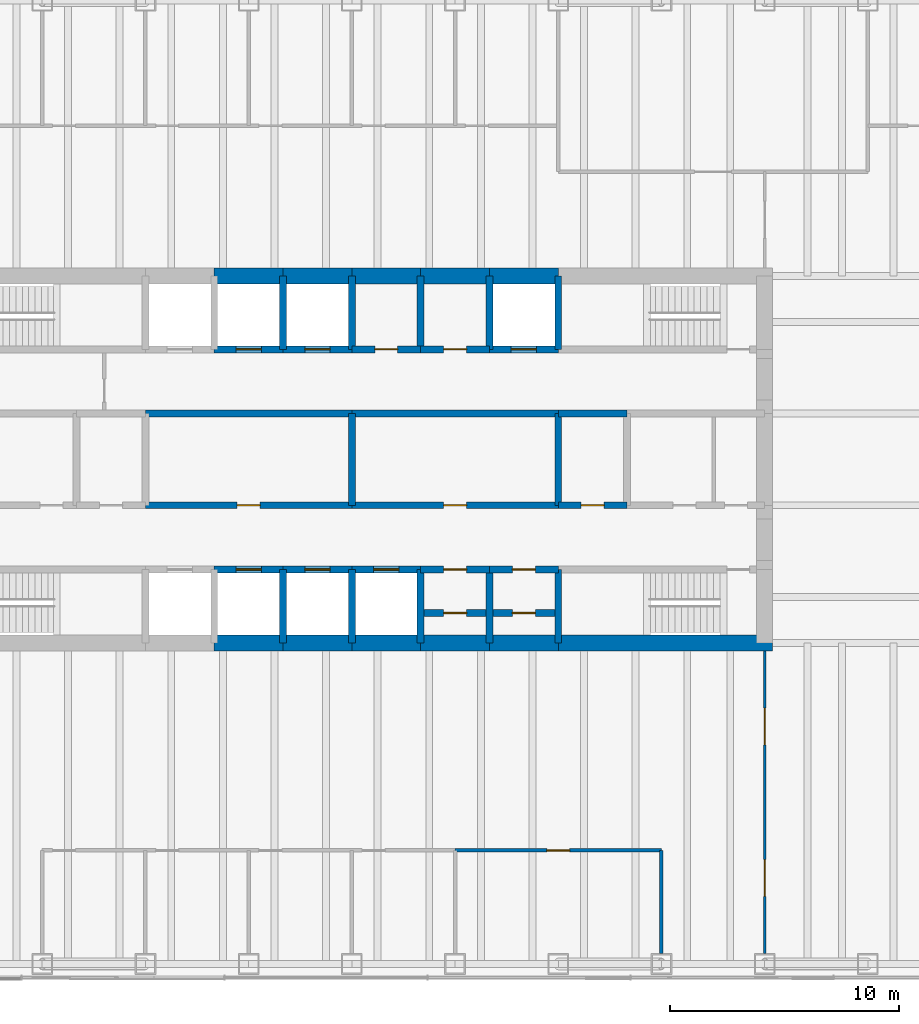
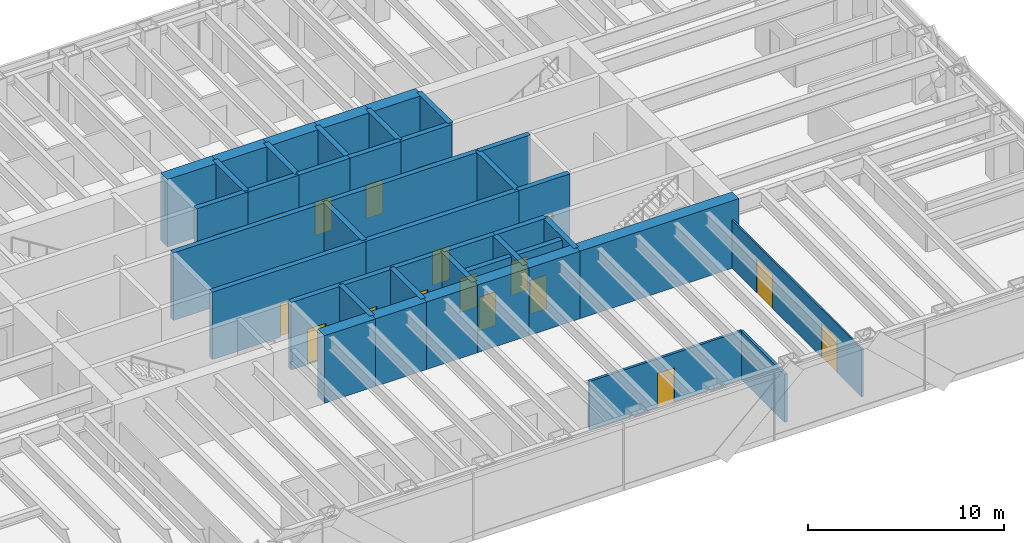
# One storey, part 12 of 15: 44 walls, 18 doors, 18 openings.
"""IFC4 building model written with IfcOpenShell, lengths in metres."""

from ifc_helpers import new_model, si_unit, direction, frame, frame_2d, origin, place, context, subcontext, project, spatial, rectangle, extrude, material, layer, layer_set, type_object, element, fill, save


model = new_model("IFC4")

# Units and contexts
model_context = context("Model", 3, precision=1e-05, world=origin(), true_north=direction((0.0, 1.0)))
body_context = subcontext(model_context, "Body", "Model", "MODEL_VIEW")
ifc_project = project(units=[si_unit("LENGTHUNIT", "METRE"), si_unit("AREAUNIT", "SQUARE_METRE"), si_unit("VOLUMEUNIT", "CUBIC_METRE"), si_unit("PLANEANGLEUNIT", "RADIAN"), si_unit("MASSUNIT", "GRAM", prefix="KILO")], contexts=[model_context])

# Site, building, storey
site_placement = place(None, origin())
site = spatial("IfcSite", under=ifc_project, at=site_placement, CompositionType="ELEMENT")
building_placement = place(site_placement, origin())
building = spatial("IfcBuilding", under=site, at=building_placement, Name="Rheinbord Bourse Tower", CompositionType="ELEMENT")
storey_placement = place(building_placement, frame((0.0, 0.0, 313.10009765625)))
storey = spatial("IfcBuildingStorey", under=building, at=storey_placement, Name="L71", CompositionType="ELEMENT", Elevation=313.10009765625)

# Wall, opening, door
ifc_material_1 = material(Name="Concrete C50/60", Category="concrete")
ifc_layer_1 = layer(ifc_material_1, 0.300048828125)
ifc_layer_set_1 = layer_set([ifc_layer_1], Name="CORE INNER WALL 300")
wall_type_1 = type_object("IfcWallType", Name="CORE INNER WALL 300", PredefinedType="SOLIDWALL", material=ifc_layer_set_1)
wall_1_placement = place(storey_placement, frame((30.0, 19.199951171875, 0.0), z_axis=(0.0, 0.0, 1.0), x_axis=(1.0, 0.0, 0.0)))
wall_1 = element("IfcWall", 1, at=wall_1_placement, inside=storey, type_object=wall_type_1, Name="Core wall A3 L71", PredefinedType="SOLIDWALL", context=body_context, shape_type="SweptSolid", body=[
    extrude(rectangle(XDim=3.0, YDim=0.300048828125, at=frame_2d((1.5, 0.0))), origin(), (0.0, 0.0, 1.0), 4.199951171875),
])
opening_1_placement = place(wall_1_placement, frame((0.949951171875, 0.0, 0.0)))
opening_1 = element("IfcOpeningElement", 2, at=opening_1_placement, cuts=wall_1, Name="Opening PD1", PredefinedType="OPENING", context=body_context, shape_type="SweptSolid", body=[
    extrude(rectangle(XDim=1.10009765625, YDim=2.199951171875, at=frame_2d((0.550048828125, 1.10009765625))), frame((0.0, 0.159912109375, 0.0), z_axis=(0.0, -1.0, 0.0), x_axis=(1.0, 0.0, 0.0)), (0.0, 0.0, 1.0), 0.320068359375),
])
ifc_material_2 = material(Name="Steel landing door", Category="steel")
door_type_1 = type_object("IfcDoorType", Name="LIFT LANDING DOOR 1100", OperationType="DOUBLE_DOOR_SLIDING", PredefinedType="USERDEFINED", material=ifc_material_2)
door_1_placement = place(opening_1_placement, origin())
door_1 = element("IfcDoor", 3, at=door_1_placement, inside=storey, type_object=door_type_1, Name="Lift landing door PD1 L71", ObjectType="LIFT LANDING DOOR", OperationType="DOUBLE_DOOR_SLIDING", OverallHeight=2.199951171875, OverallWidth=1.10009765625, PredefinedType="USERDEFINED", context=body_context, shape_type="SweptSolid", body=[
    extrude(rectangle(XDim=1.10009765625, YDim=2.199951171875, at=frame_2d((0.550048828125, 1.10009765625))), frame((0.0, 0.02490234375, 0.0), z_axis=(0.0, -1.0, 0.0), x_axis=(1.0, 0.0, 0.0)), (0.0, 0.0, 1.0), 0.050048828125),
])
fill(opening_1, door_1)

wall_2_placement = place(storey_placement, frame((33.0, 19.199951171875, 0.0), z_axis=(0.0, 0.0, 1.0), x_axis=(1.0, 0.0, 0.0)))
wall_2 = element("IfcWall", 4, at=wall_2_placement, inside=storey, type_object=wall_type_1, Name="Core wall A4 L71", PredefinedType="SOLIDWALL", context=body_context, shape_type="SweptSolid", body=[
    extrude(rectangle(XDim=3.0, YDim=0.300048828125, at=frame_2d((1.5, 0.0))), origin(), (0.0, 0.0, 1.0), 4.199951171875),
])
opening_2_placement = place(wall_2_placement, frame((0.949951171875, 0.0, 0.0)))
opening_2 = element("IfcOpeningElement", 5, at=opening_2_placement, cuts=wall_2, Name="Opening PD2", PredefinedType="OPENING", context=body_context, shape_type="SweptSolid", body=[
    extrude(rectangle(XDim=1.10009765625, YDim=2.199951171875, at=frame_2d((0.550048828125, 1.10009765625))), frame((0.0, 0.159912109375, 0.0), z_axis=(0.0, -1.0, 0.0), x_axis=(1.0, 0.0, 0.0)), (0.0, 0.0, 1.0), 0.320068359375),
])
door_2_placement = place(opening_2_placement, origin())
door_2 = element("IfcDoor", 6, at=door_2_placement, inside=storey, type_object=door_type_1, Name="Lift landing door PD2 L71", ObjectType="LIFT LANDING DOOR", OperationType="DOUBLE_DOOR_SLIDING", OverallHeight=2.199951171875, OverallWidth=1.10009765625, PredefinedType="USERDEFINED", context=body_context, shape_type="SweptSolid", body=[
    extrude(rectangle(XDim=1.10009765625, YDim=2.199951171875, at=frame_2d((0.550048828125, 1.10009765625))), frame((0.0, 0.02490234375, 0.0), z_axis=(0.0, -1.0, 0.0), x_axis=(1.0, 0.0, 0.0)), (0.0, 0.0, 1.0), 0.050048828125),
])
fill(opening_2, door_2)

wall_3_placement = place(storey_placement, frame((36.0, 19.199951171875, 0.0), z_axis=(0.0, 0.0, 1.0), x_axis=(1.0, 0.0, 0.0)))
wall_3 = element("IfcWall", 7, at=wall_3_placement, inside=storey, type_object=wall_type_1, Name="Core wall A5 L71", PredefinedType="SOLIDWALL", context=body_context, shape_type="SweptSolid", body=[
    extrude(rectangle(XDim=3.0, YDim=0.300048828125, at=frame_2d((1.5, 0.0))), origin(), (0.0, 0.0, 1.0), 4.199951171875),
])
opening_3_placement = place(wall_3_placement, frame((0.949951171875, 0.0, 0.0)))
opening_3 = element("IfcOpeningElement", 8, at=opening_3_placement, cuts=wall_3, Name="Opening PD3", PredefinedType="OPENING", context=body_context, shape_type="SweptSolid", body=[
    extrude(rectangle(XDim=1.10009765625, YDim=2.199951171875, at=frame_2d((0.550048828125, 1.10009765625))), frame((0.0, 0.159912109375, 0.0), z_axis=(0.0, -1.0, 0.0), x_axis=(1.0, 0.0, 0.0)), (0.0, 0.0, 1.0), 0.320068359375),
])
door_3_placement = place(opening_3_placement, origin())
door_3 = element("IfcDoor", 9, at=door_3_placement, inside=storey, type_object=door_type_1, Name="Lift landing door PD3 L71", ObjectType="LIFT LANDING DOOR", OperationType="DOUBLE_DOOR_SLIDING", OverallHeight=2.199951171875, OverallWidth=1.10009765625, PredefinedType="USERDEFINED", context=body_context, shape_type="SweptSolid", body=[
    extrude(rectangle(XDim=1.10009765625, YDim=2.199951171875, at=frame_2d((0.550048828125, 1.10009765625))), frame((0.0, 0.02490234375, 0.0), z_axis=(0.0, -1.0, 0.0), x_axis=(1.0, 0.0, 0.0)), (0.0, 0.0, 1.0), 0.050048828125),
])
fill(opening_3, door_3)

wall_4_placement = place(storey_placement, frame((39.0, 19.199951171875, 0.0), z_axis=(0.0, 0.0, 1.0), x_axis=(1.0, 0.0, 0.0)))
wall_4 = element("IfcWall", 10, at=wall_4_placement, inside=storey, type_object=wall_type_1, Name="Core wall A6 L71", PredefinedType="SOLIDWALL", context=body_context, shape_type="SweptSolid", body=[
    extrude(rectangle(XDim=3.0, YDim=0.300048828125, at=frame_2d((1.5, 0.0))), origin(), (0.0, 0.0, 1.0), 4.199951171875),
])
opening_4_placement = place(wall_4_placement, frame((1.0, 0.0, 0.0)))
opening_4 = element("IfcOpeningElement", 11, at=opening_4_placement, cuts=wall_4, Name="Opening 71R8", PredefinedType="OPENING", context=body_context, shape_type="SweptSolid", body=[
    extrude(rectangle(XDim=1.0, YDim=2.10009765625, at=frame_2d((0.5, 1.050048828125))), frame((0.0, 0.159912109375, 0.0), z_axis=(0.0, -1.0, 0.0), x_axis=(1.0, 0.0, 0.0)), (0.0, 0.0, 1.0), 0.320068359375),
])
ifc_material_3 = material(Name="Steel door", Category="steel")
door_type_2 = type_object("IfcDoorType", Name="DOOR 1000 EI30", OperationType="SINGLE_SWING_LEFT", PredefinedType="DOOR", material=ifc_material_3)
door_4_placement = place(opening_4_placement, origin())
door_4 = element("IfcDoor", 12, at=door_4_placement, inside=storey, type_object=door_type_2, Name="IT room door L71", OperationType="SINGLE_SWING_LEFT", OverallHeight=2.10009765625, OverallWidth=1.0, PredefinedType="DOOR", context=body_context, shape_type="SweptSolid", body=[
    extrude(rectangle(XDim=1.0, YDim=2.10009765625, at=frame_2d((0.5, 1.050048828125))), frame((0.0, 0.02490234375, 0.0), z_axis=(0.0, -1.0, 0.0), x_axis=(1.0, 0.0, 0.0)), (0.0, 0.0, 1.0), 0.050048828125),
])
fill(opening_4, door_4)

wall_5_placement = place(storey_placement, frame((42.0, 19.199951171875, 0.0), z_axis=(0.0, 0.0, 1.0), x_axis=(1.0, 0.0, 0.0)))
wall_5 = element("IfcWall", 13, at=wall_5_placement, inside=storey, type_object=wall_type_1, Name="Core wall A7 L71", PredefinedType="SOLIDWALL", context=body_context, shape_type="SweptSolid", body=[
    extrude(rectangle(XDim=3.0, YDim=0.300048828125, at=frame_2d((1.5, 0.0))), origin(), (0.0, 0.0, 1.0), 4.199951171875),
])
opening_5_placement = place(wall_5_placement, frame((1.0, 0.0, 0.0)))
opening_5 = element("IfcOpeningElement", 14, at=opening_5_placement, cuts=wall_5, Name="Opening 71R9", PredefinedType="OPENING", context=body_context, shape_type="SweptSolid", body=[
    extrude(rectangle(XDim=1.0, YDim=2.10009765625, at=frame_2d((0.5, 1.050048828125))), frame((0.0, 0.159912109375, 0.0), z_axis=(0.0, -1.0, 0.0), x_axis=(1.0, 0.0, 0.0)), (0.0, 0.0, 1.0), 0.320068359375),
])
door_5_placement = place(opening_5_placement, origin())
door_5 = element("IfcDoor", 15, at=door_5_placement, inside=storey, type_object=door_type_2, Name="Cleaner's store door L71", OperationType="SINGLE_SWING_LEFT", OverallHeight=2.10009765625, OverallWidth=1.0, PredefinedType="DOOR", context=body_context, shape_type="SweptSolid", body=[
    extrude(rectangle(XDim=1.0, YDim=2.10009765625, at=frame_2d((0.5, 1.050048828125))), frame((0.0, 0.02490234375, 0.0), z_axis=(0.0, -1.0, 0.0), x_axis=(1.0, 0.0, 0.0)), (0.0, 0.0, 1.0), 0.050048828125),
])
fill(opening_5, door_5)

wall_6_placement = place(storey_placement, frame((30.0, 28.800048828125, 0.0), z_axis=(0.0, 0.0, 1.0), x_axis=(1.0, 0.0, 0.0)))
wall_6 = element("IfcWall", 16, at=wall_6_placement, inside=storey, type_object=wall_type_1, Name="Core wall B3 L71", PredefinedType="SOLIDWALL", context=body_context, shape_type="SweptSolid", body=[
    extrude(rectangle(XDim=3.0, YDim=0.300048828125, at=frame_2d((1.5, 0.0))), origin(), (0.0, 0.0, 1.0), 4.199951171875),
])
opening_6_placement = place(wall_6_placement, frame((0.949951171875, 0.0, 0.0)))
opening_6 = element("IfcOpeningElement", 17, at=opening_6_placement, cuts=wall_6, Name="Opening PD4", PredefinedType="OPENING", context=body_context, shape_type="SweptSolid", body=[
    extrude(rectangle(XDim=1.10009765625, YDim=2.199951171875, at=frame_2d((0.550048828125, 1.10009765625))), frame((0.0, 0.159912109375, 0.0), z_axis=(0.0, -1.0, 0.0), x_axis=(1.0, 0.0, 0.0)), (0.0, 0.0, 1.0), 0.320068359375),
])
door_6_placement = place(opening_6_placement, origin())
door_6 = element("IfcDoor", 18, at=door_6_placement, inside=storey, type_object=door_type_1, Name="Lift landing door PD4 L71", ObjectType="LIFT LANDING DOOR", OperationType="DOUBLE_DOOR_SLIDING", OverallHeight=2.199951171875, OverallWidth=1.10009765625, PredefinedType="USERDEFINED", context=body_context, shape_type="SweptSolid", body=[
    extrude(rectangle(XDim=1.10009765625, YDim=2.199951171875, at=frame_2d((0.550048828125, 1.10009765625))), frame((0.0, 0.02490234375, 0.0), z_axis=(0.0, -1.0, 0.0), x_axis=(1.0, 0.0, 0.0)), (0.0, 0.0, 1.0), 0.050048828125),
])
fill(opening_6, door_6)

wall_7_placement = place(storey_placement, frame((33.0, 28.800048828125, 0.0), z_axis=(0.0, 0.0, 1.0), x_axis=(1.0, 0.0, 0.0)))
wall_7 = element("IfcWall", 19, at=wall_7_placement, inside=storey, type_object=wall_type_1, Name="Core wall B4 L71", PredefinedType="SOLIDWALL", context=body_context, shape_type="SweptSolid", body=[
    extrude(rectangle(XDim=3.0, YDim=0.300048828125, at=frame_2d((1.5, 0.0))), origin(), (0.0, 0.0, 1.0), 4.199951171875),
])
opening_7_placement = place(wall_7_placement, frame((0.949951171875, 0.0, 0.0)))
opening_7 = element("IfcOpeningElement", 20, at=opening_7_placement, cuts=wall_7, Name="Opening PD5", PredefinedType="OPENING", context=body_context, shape_type="SweptSolid", body=[
    extrude(rectangle(XDim=1.10009765625, YDim=2.199951171875, at=frame_2d((0.550048828125, 1.10009765625))), frame((0.0, 0.159912109375, 0.0), z_axis=(0.0, -1.0, 0.0), x_axis=(1.0, 0.0, 0.0)), (0.0, 0.0, 1.0), 0.320068359375),
])
door_7_placement = place(opening_7_placement, origin())
door_7 = element("IfcDoor", 21, at=door_7_placement, inside=storey, type_object=door_type_1, Name="Lift landing door PD5 L71", ObjectType="LIFT LANDING DOOR", OperationType="DOUBLE_DOOR_SLIDING", OverallHeight=2.199951171875, OverallWidth=1.10009765625, PredefinedType="USERDEFINED", context=body_context, shape_type="SweptSolid", body=[
    extrude(rectangle(XDim=1.10009765625, YDim=2.199951171875, at=frame_2d((0.550048828125, 1.10009765625))), frame((0.0, 0.02490234375, 0.0), z_axis=(0.0, -1.0, 0.0), x_axis=(1.0, 0.0, 0.0)), (0.0, 0.0, 1.0), 0.050048828125),
])
fill(opening_7, door_7)

wall_8_placement = place(storey_placement, frame((36.0, 28.800048828125, 0.0), z_axis=(0.0, 0.0, 1.0), x_axis=(1.0, 0.0, 0.0)))
wall_8 = element("IfcWall", 22, at=wall_8_placement, inside=storey, type_object=wall_type_1, Name="Core wall B5 L71", PredefinedType="SOLIDWALL", context=body_context, shape_type="SweptSolid", body=[
    extrude(rectangle(XDim=3.0, YDim=0.300048828125, at=frame_2d((1.5, 0.0))), origin(), (0.0, 0.0, 1.0), 4.199951171875),
])
opening_8_placement = place(wall_8_placement, frame((1.0, 0.0, 0.0)))
opening_8 = element("IfcOpeningElement", 23, at=opening_8_placement, cuts=wall_8, Name="Opening 71R10", PredefinedType="OPENING", context=body_context, shape_type="SweptSolid", body=[
    extrude(rectangle(XDim=1.0, YDim=2.10009765625, at=frame_2d((0.5, 1.050048828125))), frame((0.0, 0.159912109375, 0.0), z_axis=(0.0, -1.0, 0.0), x_axis=(1.0, 0.0, 0.0)), (0.0, 0.0, 1.0), 0.320068359375),
])
door_8_placement = place(opening_8_placement, origin())
door_8 = element("IfcDoor", 24, at=door_8_placement, inside=storey, type_object=door_type_2, Name="Pantry door L71", OperationType="SINGLE_SWING_LEFT", OverallHeight=2.10009765625, OverallWidth=1.0, PredefinedType="DOOR", context=body_context, shape_type="SweptSolid", body=[
    extrude(rectangle(XDim=1.0, YDim=2.10009765625, at=frame_2d((0.5, 1.050048828125))), frame((0.0, 0.02490234375, 0.0), z_axis=(0.0, -1.0, 0.0), x_axis=(1.0, 0.0, 0.0)), (0.0, 0.0, 1.0), 0.050048828125),
])
fill(opening_8, door_8)

wall_9_placement = place(storey_placement, frame((39.0, 28.800048828125, 0.0), z_axis=(0.0, 0.0, 1.0), x_axis=(1.0, 0.0, 0.0)))
wall_9 = element("IfcWall", 25, at=wall_9_placement, inside=storey, type_object=wall_type_1, Name="Core wall B6 L71", PredefinedType="SOLIDWALL", context=body_context, shape_type="SweptSolid", body=[
    extrude(rectangle(XDim=3.0, YDim=0.300048828125, at=frame_2d((1.5, 0.0))), origin(), (0.0, 0.0, 1.0), 4.199951171875),
])
opening_9_placement = place(wall_9_placement, frame((1.0, 0.0, 0.0)))
opening_9 = element("IfcOpeningElement", 26, at=opening_9_placement, cuts=wall_9, Name="Opening 71R11", PredefinedType="OPENING", context=body_context, shape_type="SweptSolid", body=[
    extrude(rectangle(XDim=1.0, YDim=2.10009765625, at=frame_2d((0.5, 1.050048828125))), frame((0.0, 0.159912109375, 0.0), z_axis=(0.0, -1.0, 0.0), x_axis=(1.0, 0.0, 0.0)), (0.0, 0.0, 1.0), 0.320068359375),
])
door_9_placement = place(opening_9_placement, origin())
door_9 = element("IfcDoor", 27, at=door_9_placement, inside=storey, type_object=door_type_2, Name="Archive store door L71", OperationType="SINGLE_SWING_LEFT", OverallHeight=2.10009765625, OverallWidth=1.0, PredefinedType="DOOR", context=body_context, shape_type="SweptSolid", body=[
    extrude(rectangle(XDim=1.0, YDim=2.10009765625, at=frame_2d((0.5, 1.050048828125))), frame((0.0, 0.02490234375, 0.0), z_axis=(0.0, -1.0, 0.0), x_axis=(1.0, 0.0, 0.0)), (0.0, 0.0, 1.0), 0.050048828125),
])
fill(opening_9, door_9)

wall_10_placement = place(storey_placement, frame((42.0, 28.800048828125, 0.0), z_axis=(0.0, 0.0, 1.0), x_axis=(1.0, 0.0, 0.0)))
wall_10 = element("IfcWall", 28, at=wall_10_placement, inside=storey, type_object=wall_type_1, Name="Core wall B7 L71", PredefinedType="SOLIDWALL", context=body_context, shape_type="SweptSolid", body=[
    extrude(rectangle(XDim=3.0, YDim=0.300048828125, at=frame_2d((1.5, 0.0))), origin(), (0.0, 0.0, 1.0), 4.199951171875),
])
opening_10_placement = place(wall_10_placement, frame((0.949951171875, 0.0, 0.0)))
opening_10 = element("IfcOpeningElement", 29, at=opening_10_placement, cuts=wall_10, Name="Opening FL2", PredefinedType="OPENING", context=body_context, shape_type="SweptSolid", body=[
    extrude(rectangle(XDim=1.10009765625, YDim=2.199951171875, at=frame_2d((0.550048828125, 1.10009765625))), frame((0.0, 0.159912109375, 0.0), z_axis=(0.0, -1.0, 0.0), x_axis=(1.0, 0.0, 0.0)), (0.0, 0.0, 1.0), 0.320068359375),
])
door_10_placement = place(opening_10_placement, origin())
door_10 = element("IfcDoor", 30, at=door_10_placement, inside=storey, type_object=door_type_1, Name="Lift landing door FL2 L71", ObjectType="LIFT LANDING DOOR", OperationType="DOUBLE_DOOR_SLIDING", OverallHeight=2.199951171875, OverallWidth=1.10009765625, PredefinedType="USERDEFINED", context=body_context, shape_type="SweptSolid", body=[
    extrude(rectangle(XDim=1.10009765625, YDim=2.199951171875, at=frame_2d((0.550048828125, 1.10009765625))), frame((0.0, 0.02490234375, 0.0), z_axis=(0.0, -1.0, 0.0), x_axis=(1.0, 0.0, 0.0)), (0.0, 0.0, 1.0), 0.050048828125),
])
fill(opening_10, door_10)

wall_11_placement = place(storey_placement, frame((27.0, 22.0, 0.0), z_axis=(0.0, 0.0, 1.0), x_axis=(1.0, 0.0, 0.0)))
wall_11 = element("IfcWall", 31, at=wall_11_placement, inside=storey, type_object=wall_type_1, Name="Core wall C3 L71", PredefinedType="SOLIDWALL", context=body_context, shape_type="SweptSolid", body=[
    extrude(rectangle(XDim=9.0, YDim=0.300048828125, at=frame_2d((4.5, 0.0))), origin(), (0.0, 0.0, 1.0), 4.199951171875),
])
opening_11_placement = place(wall_11_placement, frame((4.0, 0.0, 0.0)))
opening_11 = element("IfcOpeningElement", 32, at=opening_11_placement, cuts=wall_11, Name="Opening 71R3", PredefinedType="OPENING", context=body_context, shape_type="SweptSolid", body=[
    extrude(rectangle(XDim=1.0, YDim=2.10009765625, at=frame_2d((0.5, 1.050048828125))), frame((0.0, 0.159912109375, 0.0), z_axis=(0.0, -1.0, 0.0), x_axis=(1.0, 0.0, 0.0)), (0.0, 0.0, 1.0), 0.320068359375),
])
door_11_placement = place(opening_11_placement, origin())
door_11 = element("IfcDoor", 33, at=door_11_placement, inside=storey, type_object=door_type_2, Name="Riser door L71", OperationType="SINGLE_SWING_LEFT", OverallHeight=2.10009765625, OverallWidth=1.0, PredefinedType="DOOR", context=body_context, shape_type="SweptSolid", body=[
    extrude(rectangle(XDim=1.0, YDim=2.10009765625, at=frame_2d((0.5, 1.050048828125))), frame((0.0, 0.02490234375, 0.0), z_axis=(0.0, -1.0, 0.0), x_axis=(1.0, 0.0, 0.0)), (0.0, 0.0, 1.0), 0.050048828125),
])
fill(opening_11, door_11)

wall_12_placement = place(storey_placement, frame((36.0, 22.0, 0.0), z_axis=(0.0, 0.0, 1.0), x_axis=(1.0, 0.0, 0.0)))
wall_12 = element("IfcWall", 34, at=wall_12_placement, inside=storey, type_object=wall_type_1, Name="Core wall C4 L71", PredefinedType="SOLIDWALL", context=body_context, shape_type="SweptSolid", body=[
    extrude(rectangle(XDim=9.0, YDim=0.300048828125, at=frame_2d((4.5, 0.0))), origin(), (0.0, 0.0, 1.0), 4.199951171875),
])
opening_12_placement = place(wall_12_placement, frame((4.0, 0.0, 0.0)))
opening_12 = element("IfcOpeningElement", 35, at=opening_12_placement, cuts=wall_12, Name="Opening 71R4", PredefinedType="OPENING", context=body_context, shape_type="SweptSolid", body=[
    extrude(rectangle(XDim=1.0, YDim=2.10009765625, at=frame_2d((0.5, 1.050048828125))), frame((0.0, 0.159912109375, 0.0), z_axis=(0.0, -1.0, 0.0), x_axis=(1.0, 0.0, 0.0)), (0.0, 0.0, 1.0), 0.320068359375),
])
door_12_placement = place(opening_12_placement, origin())
door_12 = element("IfcDoor", 36, at=door_12_placement, inside=storey, type_object=door_type_2, Name="Store door L71", OperationType="SINGLE_SWING_LEFT", OverallHeight=2.10009765625, OverallWidth=1.0, PredefinedType="DOOR", context=body_context, shape_type="SweptSolid", body=[
    extrude(rectangle(XDim=1.0, YDim=2.10009765625, at=frame_2d((0.5, 1.050048828125))), frame((0.0, 0.02490234375, 0.0), z_axis=(0.0, -1.0, 0.0), x_axis=(1.0, 0.0, 0.0)), (0.0, 0.0, 1.0), 0.050048828125),
])
fill(opening_12, door_12)

wall_13_placement = place(storey_placement, frame((45.0, 22.0, 0.0), z_axis=(0.0, 0.0, 1.0), x_axis=(1.0, 0.0, 0.0)))
wall_13 = element("IfcWall", 37, at=wall_13_placement, inside=storey, type_object=wall_type_1, Name="Core wall C5 L71", PredefinedType="SOLIDWALL", context=body_context, shape_type="SweptSolid", body=[
    extrude(rectangle(XDim=3.0, YDim=0.300048828125, at=frame_2d((1.5, 0.0))), origin(), (0.0, 0.0, 1.0), 4.199951171875),
])
opening_13_placement = place(wall_13_placement, frame((1.0, 0.0, 0.0)))
opening_13 = element("IfcOpeningElement", 38, at=opening_13_placement, cuts=wall_13, Name="Opening 71R5", PredefinedType="OPENING", context=body_context, shape_type="SweptSolid", body=[
    extrude(rectangle(XDim=1.0, YDim=2.10009765625, at=frame_2d((0.5, 1.050048828125))), frame((0.0, 0.159912109375, 0.0), z_axis=(0.0, -1.0, 0.0), x_axis=(1.0, 0.0, 0.0)), (0.0, 0.0, 1.0), 0.320068359375),
])
ifc_material_4 = material(Name="Timber door", Category="wood")
door_type_3 = type_object("IfcDoorType", Name="DOOR 1000 WC", OperationType="SINGLE_SWING_LEFT", PredefinedType="DOOR", material=ifc_material_4)
door_13_placement = place(opening_13_placement, origin())
door_13 = element("IfcDoor", 39, at=door_13_placement, inside=storey, type_object=door_type_3, Name="Accessible WC door L71", OperationType="SINGLE_SWING_LEFT", OverallHeight=2.10009765625, OverallWidth=1.0, PredefinedType="DOOR", context=body_context, shape_type="SweptSolid", body=[
    extrude(rectangle(XDim=1.0, YDim=2.10009765625, at=frame_2d((0.5, 1.050048828125))), frame((0.0, 0.02490234375, 0.0), z_axis=(0.0, -1.0, 0.0), x_axis=(1.0, 0.0, 0.0)), (0.0, 0.0, 1.0), 0.050048828125),
])
fill(opening_13, door_13)

# Walls
for number, where, z_axis, x_axis, name in (
    (40, (27.0, 26.0, 0.0), (0.0, 0.0, 1.0), (1.0, 0.0, 0.0), "Core wall D3 L71"),
    (41, (36.0, 26.0, 0.0), (0.0, 0.0, 1.0), (1.0, 0.0, 0.0), "Core wall D4 L71"),
):
    element("IfcWall", number, at=place(storey_placement, frame(where, z_axis=z_axis, x_axis=x_axis)), inside=storey, type_object=wall_type_1, Name=name, PredefinedType="SOLIDWALL", context=body_context, shape_type="SweptSolid", body=[
        extrude(rectangle(XDim=9.0, YDim=0.300048828125, at=frame_2d((4.5, 0.0))), origin(), (0.0, 0.0, 1.0), 4.199951171875),
    ])
wall_14_placement = place(storey_placement, frame((45.0, 26.0, 0.0), z_axis=(0.0, 0.0, 1.0), x_axis=(1.0, 0.0, 0.0)))
element("IfcWall", 42, at=wall_14_placement, inside=storey, type_object=wall_type_1, Name="Core wall D5 L71", PredefinedType="SOLIDWALL", context=body_context, shape_type="SweptSolid", body=[
    extrude(rectangle(XDim=3.0, YDim=0.300048828125, at=frame_2d((1.5, 0.0))), origin(), (0.0, 0.0, 1.0), 4.199951171875),
])
for number, where, z_axis, x_axis, name in (
    (43, (33.0, 16.0, 0.0), (0.0, 0.0, 1.0), (0.0, 1.0, 0.0), "Core wall SX33 L71"),
    (44, (33.0, 28.800048828125, 0.0), (0.0, 0.0, 1.0), (0.0, 1.0, 0.0), "Core wall NX33 L71"),
    (45, (36.0, 16.0, 0.0), (0.0, 0.0, 1.0), (0.0, 1.0, 0.0), "Core wall SX36 L71"),
    (46, (36.0, 28.800048828125, 0.0), (0.0, 0.0, 1.0), (0.0, 1.0, 0.0), "Core wall NX36 L71"),
    (47, (39.0, 16.0, 0.0), (0.0, 0.0, 1.0), (0.0, 1.0, 0.0), "Core wall SX39 L71"),
    (48, (39.0, 28.800048828125, 0.0), (0.0, 0.0, 1.0), (0.0, 1.0, 0.0), "Core wall NX39 L71"),
    (49, (42.0, 16.0, 0.0), (0.0, 0.0, 1.0), (0.0, 1.0, 0.0), "Core wall SX42 L71"),
    (50, (42.0, 28.800048828125, 0.0), (0.0, 0.0, 1.0), (0.0, 1.0, 0.0), "Core wall NX42 L71"),
    (51, (45.0, 16.0, 0.0), (0.0, 0.0, 1.0), (0.0, 1.0, 0.0), "Core wall SX45 L71"),
    (52, (45.0, 28.800048828125, 0.0), (0.0, 0.0, 1.0), (0.0, 1.0, 0.0), "Core wall NX45 L71"),
):
    element("IfcWall", number, at=place(storey_placement, frame(where, z_axis=z_axis, x_axis=x_axis)), inside=storey, type_object=wall_type_1, Name=name, PredefinedType="SOLIDWALL", context=body_context, shape_type="SweptSolid", body=[
        extrude(rectangle(XDim=3.199951171875, YDim=0.300048828125, at=frame_2d((1.60009765625, 0.0))), origin(), (0.0, 0.0, 1.0), 4.199951171875),
    ])
for number, where, z_axis, x_axis, name in (
    (53, (36.0, 22.0, 0.0), (0.0, 0.0, 1.0), (0.0, 1.0, 0.0), "Core wall MX36 L71"),
    (54, (45.0, 22.0, 0.0), (0.0, 0.0, 1.0), (0.0, 1.0, 0.0), "Core wall MX45 L71"),
):
    element("IfcWall", number, at=place(storey_placement, frame(where, z_axis=z_axis, x_axis=x_axis)), inside=storey, type_object=wall_type_1, Name=name, PredefinedType="SOLIDWALL", context=body_context, shape_type="SweptSolid", body=[
        extrude(rectangle(XDim=4.0, YDim=0.300048828125, at=frame_2d((2.0, 0.0))), origin(), (0.0, 0.0, 1.0), 4.199951171875),
    ])

# Wall, opening, door
wall_15_placement = place(storey_placement, frame((39.14990234375, 17.300048828125, 0.0), z_axis=(0.0, 0.0, 1.0), x_axis=(1.0, 0.0, 0.0)))
wall_15 = element("IfcWall", 55, at=wall_15_placement, inside=storey, type_object=wall_type_1, Name="Core riser wall L71-6", PredefinedType="SOLIDWALL", context=body_context, shape_type="SweptSolid", body=[
    extrude(rectangle(XDim=2.7001953125, YDim=0.300048828125, at=frame_2d((1.35009765625, 0.0))), origin(), (0.0, 0.0, 1.0), 4.039794921875),
])
opening_14_placement = place(wall_15_placement, frame((0.85009765625, 0.0, 0.0)))
opening_14 = element("IfcOpeningElement", 56, at=opening_14_placement, cuts=wall_15, Name="Opening 71R12", PredefinedType="OPENING", context=body_context, shape_type="SweptSolid", body=[
    extrude(rectangle(XDim=1.0, YDim=2.10009765625, at=frame_2d((0.5, 1.050048828125))), frame((0.0, 0.159912109375, 0.0), z_axis=(0.0, -1.0, 0.0), x_axis=(1.0, 0.0, 0.0)), (0.0, 0.0, 1.0), 0.320068359375),
])
door_14_placement = place(opening_14_placement, origin())
door_14 = element("IfcDoor", 57, at=door_14_placement, inside=storey, type_object=door_type_2, Name="Comms riser door L71", OperationType="SINGLE_SWING_LEFT", OverallHeight=2.10009765625, OverallWidth=1.0, PredefinedType="DOOR", context=body_context, shape_type="SweptSolid", body=[
    extrude(rectangle(XDim=1.0, YDim=2.10009765625, at=frame_2d((0.5, 1.050048828125))), frame((0.0, 0.02490234375, 0.0), z_axis=(0.0, -1.0, 0.0), x_axis=(1.0, 0.0, 0.0)), (0.0, 0.0, 1.0), 0.050048828125),
])
fill(opening_14, door_14)

wall_16_placement = place(storey_placement, frame((42.14990234375, 17.300048828125, 0.0), z_axis=(0.0, 0.0, 1.0), x_axis=(1.0, 0.0, 0.0)))
wall_16 = element("IfcWall", 58, at=wall_16_placement, inside=storey, type_object=wall_type_1, Name="Core riser wall L71-7", PredefinedType="SOLIDWALL", context=body_context, shape_type="SweptSolid", body=[
    extrude(rectangle(XDim=2.7001953125, YDim=0.300048828125, at=frame_2d((1.35009765625, 0.0))), origin(), (0.0, 0.0, 1.0), 4.039794921875),
])
opening_15_placement = place(wall_16_placement, frame((0.85009765625, 0.0, 0.0)))
opening_15 = element("IfcOpeningElement", 59, at=opening_15_placement, cuts=wall_16, Name="Opening 71R13", PredefinedType="OPENING", context=body_context, shape_type="SweptSolid", body=[
    extrude(rectangle(XDim=1.0, YDim=2.10009765625, at=frame_2d((0.5, 1.050048828125))), frame((0.0, 0.159912109375, 0.0), z_axis=(0.0, -1.0, 0.0), x_axis=(1.0, 0.0, 0.0)), (0.0, 0.0, 1.0), 0.320068359375),
])
door_15_placement = place(opening_15_placement, origin())
door_15 = element("IfcDoor", 60, at=door_15_placement, inside=storey, type_object=door_type_2, Name="Electrical riser door L71", OperationType="SINGLE_SWING_LEFT", OverallHeight=2.10009765625, OverallWidth=1.0, PredefinedType="DOOR", context=body_context, shape_type="SweptSolid", body=[
    extrude(rectangle(XDim=1.0, YDim=2.10009765625, at=frame_2d((0.5, 1.050048828125))), frame((0.0, 0.02490234375, 0.0), z_axis=(0.0, -1.0, 0.0), x_axis=(1.0, 0.0, 0.0)), (0.0, 0.0, 1.0), 0.050048828125),
])
fill(opening_15, door_15)

# Walls
ifc_material_5 = material(Name="Concrete C50/60", Category="concrete")
ifc_layer_2 = layer(ifc_material_5, 0.699951171875)
ifc_layer_set_2 = layer_set([ifc_layer_2], Name="CORE WALL 700")
wall_type_2 = type_object("IfcWallType", Name="CORE WALL 700", PredefinedType="SHEAR", material=ifc_layer_set_2)
for number, where, z_axis, x_axis, name in (
    (61, (30.0, 16.0, 0.0), (0.0, 0.0, 1.0), (1.0, 0.0, 0.0), "Core wall S3 L71"),
    (62, (33.0, 16.0, 0.0), (0.0, 0.0, 1.0), (1.0, 0.0, 0.0), "Core wall S4 L71"),
    (63, (36.0, 16.0, 0.0), (0.0, 0.0, 1.0), (1.0, 0.0, 0.0), "Core wall S5 L71"),
    (64, (39.0, 16.0, 0.0), (0.0, 0.0, 1.0), (1.0, 0.0, 0.0), "Core wall S6 L71"),
    (65, (42.0, 16.0, 0.0), (0.0, 0.0, 1.0), (1.0, 0.0, 0.0), "Core wall S7 L71"),
):
    element("IfcWall", number, at=place(storey_placement, frame(where, z_axis=z_axis, x_axis=x_axis)), inside=storey, type_object=wall_type_2, Name=name, PredefinedType="SHEAR", context=body_context, shape_type="SweptSolid", body=[
        extrude(rectangle(XDim=3.0, YDim=0.699951171875, at=frame_2d((1.5, 0.0))), origin(), (0.0, 0.0, 1.0), 4.199951171875),
    ])
wall_17_placement = place(storey_placement, frame((45.0, 16.0, 0.0), z_axis=(0.0, 0.0, 1.0), x_axis=(1.0, 0.0, 0.0)))
element("IfcWall", 66, at=wall_17_placement, inside=storey, type_object=wall_type_2, Name="Core wall S8 L71", PredefinedType="SHEAR", context=body_context, shape_type="SweptSolid", body=[
    extrude(rectangle(XDim=9.35009765625, YDim=0.699951171875, at=frame_2d((4.675048828125, 0.0))), origin(), (0.0, 0.0, 1.0), 4.199951171875),
])
for number, where, z_axis, x_axis, name in (
    (67, (45.0, 32.0, 0.0), (0.0, 0.0, 1.0), (-1.0, 0.0, 0.0), "Core wall N2 L71"),
    (68, (42.0, 32.0, 0.0), (0.0, 0.0, 1.0), (-1.0, 0.0, 0.0), "Core wall N3 L71"),
    (69, (39.0, 32.0, 0.0), (0.0, 0.0, 1.0), (-1.0, 0.0, 0.0), "Core wall N4 L71"),
    (70, (36.0, 32.0, 0.0), (0.0, 0.0, 1.0), (-1.0, 0.0, 0.0), "Core wall N5 L71"),
    (71, (33.0, 32.0, 0.0), (0.0, 0.0, 1.0), (-1.0, 0.0, 0.0), "Core wall N6 L71"),
):
    element("IfcWall", number, at=place(storey_placement, frame(where, z_axis=z_axis, x_axis=x_axis)), inside=storey, type_object=wall_type_2, Name=name, PredefinedType="SHEAR", context=body_context, shape_type="SweptSolid", body=[
        extrude(rectangle(XDim=3.0, YDim=0.699951171875, at=frame_2d((1.5, 0.0))), origin(), (0.0, 0.0, 1.0), 4.199951171875),
    ])

# Wall, opening, door
ifc_material_6 = material(Name="Gypsum board fire partition", Category="gypsum board")
ifc_layer_3 = layer(ifc_material_6, 0.14990234375)
ifc_layer_set_3 = layer_set([ifc_layer_3], Name="FIRE PARTITION 150 EI60")
wall_type_3 = type_object("IfcWallType", Name="FIRE PARTITION 150 EI60", PredefinedType="PARTITIONING", material=ifc_layer_set_3)
wall_18_placement = place(storey_placement, frame((40.5, 6.949951171875, 0.0), z_axis=(0.0, 0.0, 1.0), x_axis=(1.0, 0.0, 0.0)))
wall_18 = element("IfcWall", 72, at=wall_18_placement, inside=storey, type_object=wall_type_3, Name="Partition L71-02", PredefinedType="PARTITIONING", context=body_context, shape_type="SweptSolid", body=[
    extrude(rectangle(XDim=9.0, YDim=0.14990234375, at=frame_2d((4.5, 0.0))), origin(), (0.0, 0.0, 1.0), 3.0),
])
opening_16_placement = place(wall_18_placement, frame((4.0, 0.0, 0.0)))
opening_16 = element("IfcOpeningElement", 73, at=opening_16_placement, cuts=wall_18, Name="Opening 71D05", PredefinedType="OPENING", context=body_context, shape_type="SweptSolid", body=[
    extrude(rectangle(XDim=1.0, YDim=2.10009765625, at=frame_2d((0.5, 1.050048828125))), frame((0.0, 0.0849609375, 0.0), z_axis=(0.0, -1.0, 0.0), x_axis=(1.0, 0.0, 0.0)), (0.0, 0.0, 1.0), 0.169921875),
])
ifc_material_7 = material(Name="Timber fire door", Category="wood")
door_type_4 = type_object("IfcDoorType", Name="FIRE DOOR 1000 EI60", OperationType="SINGLE_SWING_LEFT", PredefinedType="DOOR", material=ifc_material_7)
door_16_placement = place(opening_16_placement, origin())
door_16 = element("IfcDoor", 74, at=door_16_placement, inside=storey, type_object=door_type_4, Name="Board papers room door L71", OperationType="SINGLE_SWING_LEFT", OverallHeight=2.10009765625, OverallWidth=1.0, PredefinedType="DOOR", context=body_context, shape_type="SweptSolid", body=[
    extrude(rectangle(XDim=1.0, YDim=2.10009765625, at=frame_2d((0.5, 1.050048828125))), frame((0.0, 0.02490234375, 0.0), z_axis=(0.0, -1.0, 0.0), x_axis=(1.0, 0.0, 0.0)), (0.0, 0.0, 1.0), 0.050048828125),
])
fill(opening_16, door_16)

# Wall
wall_19_placement = place(storey_placement, frame((49.5, 2.449951171875, 0.0), z_axis=(0.0, 0.0, 1.0), x_axis=(0.0, 1.0, 0.0)))
element("IfcWall", 75, at=wall_19_placement, inside=storey, type_object=wall_type_3, Name="Partition L71-29", PredefinedType="PARTITIONING", context=body_context, shape_type="SweptSolid", body=[
    extrude(rectangle(XDim=4.5, YDim=0.14990234375, at=frame_2d((2.25, 0.0))), origin(), (0.0, 0.0, 1.0), 3.0),
])

# Wall, openings, doors
ifc_material_8 = material(Name="Toughened laminated glass partition", Category="glass")
ifc_layer_4 = layer(ifc_material_8, 0.10009765625)
ifc_layer_set_4 = layer_set([ifc_layer_4], Name="GLAZED PARTITION 100")
wall_type_4 = type_object("IfcWallType", Name="GLAZED PARTITION 100", PredefinedType="PARTITIONING", material=ifc_layer_set_4)
wall_20_placement = place(storey_placement, frame((54.0, 2.449951171875, 0.0), z_axis=(0.0, 0.0, 1.0), x_axis=(0.0, 1.0, 0.0)))
wall_20 = element("IfcWall", 76, at=wall_20_placement, inside=storey, type_object=wall_type_4, Name="Partition L71-30", PredefinedType="PARTITIONING", context=body_context, shape_type="SweptSolid", body=[
    extrude(rectangle(XDim=13.199951171875, YDim=0.10009765625, at=frame_2d((6.60009765625, 0.0))), origin(), (0.0, 0.0, 1.0), 3.0),
])
opening_17_placement = place(wall_20_placement, frame((2.5, 0.0, 0.0)))
opening_17 = element("IfcOpeningElement", 77, at=opening_17_placement, cuts=wall_20, Name="Opening 71D21", PredefinedType="OPENING", context=body_context, shape_type="SweptSolid", body=[
    extrude(rectangle(XDim=1.60009765625, YDim=2.10009765625, at=frame_2d((0.800048828125, 1.050048828125))), frame((0.0, 0.06005859375, 0.0), z_axis=(0.0, -1.0, 0.0), x_axis=(1.0, 0.0, 0.0)), (0.0, 0.0, 1.0), 0.1201171875),
])
opening_18_placement = place(wall_20_placement, frame((9.10009765625, 0.0, 0.0)))
opening_18 = element("IfcOpeningElement", 78, at=opening_18_placement, cuts=wall_20, Name="Opening 71D22", PredefinedType="OPENING", context=body_context, shape_type="SweptSolid", body=[
    extrude(rectangle(XDim=1.60009765625, YDim=2.10009765625, at=frame_2d((0.800048828125, 1.050048828125))), frame((0.0, 0.06005859375, 0.0), z_axis=(0.0, -1.0, 0.0), x_axis=(1.0, 0.0, 0.0)), (0.0, 0.0, 1.0), 0.1201171875),
])
ifc_material_9 = material(Name="Timber door", Category="wood")
door_type_5 = type_object("IfcDoorType", Name="DOUBLE ROOM DOOR 1600", OperationType="DOUBLE_DOOR_DOUBLE_SWING", PredefinedType="DOOR", material=ifc_material_9)
door_17_placement = place(opening_17_placement, origin())
door_17 = element("IfcDoor", 79, at=door_17_placement, inside=storey, type_object=door_type_5, Name="Open area door L71", OperationType="SINGLE_SWING_LEFT", OverallHeight=2.10009765625, OverallWidth=1.60009765625, PredefinedType="DOOR", context=body_context, shape_type="SweptSolid", body=[
    extrude(rectangle(XDim=1.60009765625, YDim=2.10009765625, at=frame_2d((0.800048828125, 1.050048828125))), frame((0.0, 0.02490234375, 0.0), z_axis=(0.0, -1.0, 0.0), x_axis=(1.0, 0.0, 0.0)), (0.0, 0.0, 1.0), 0.050048828125),
])
fill(opening_17, door_17)
door_18_placement = place(opening_18_placement, origin())
door_18 = element("IfcDoor", 80, at=door_18_placement, inside=storey, type_object=door_type_5, Name="Open area door L71", OperationType="SINGLE_SWING_LEFT", OverallHeight=2.10009765625, OverallWidth=1.60009765625, PredefinedType="DOOR", context=body_context, shape_type="SweptSolid", body=[
    extrude(rectangle(XDim=1.60009765625, YDim=2.10009765625, at=frame_2d((0.800048828125, 1.050048828125))), frame((0.0, 0.02490234375, 0.0), z_axis=(0.0, -1.0, 0.0), x_axis=(1.0, 0.0, 0.0)), (0.0, 0.0, 1.0), 0.050048828125),
])
fill(opening_18, door_18)

save(model, "model.ifc")
